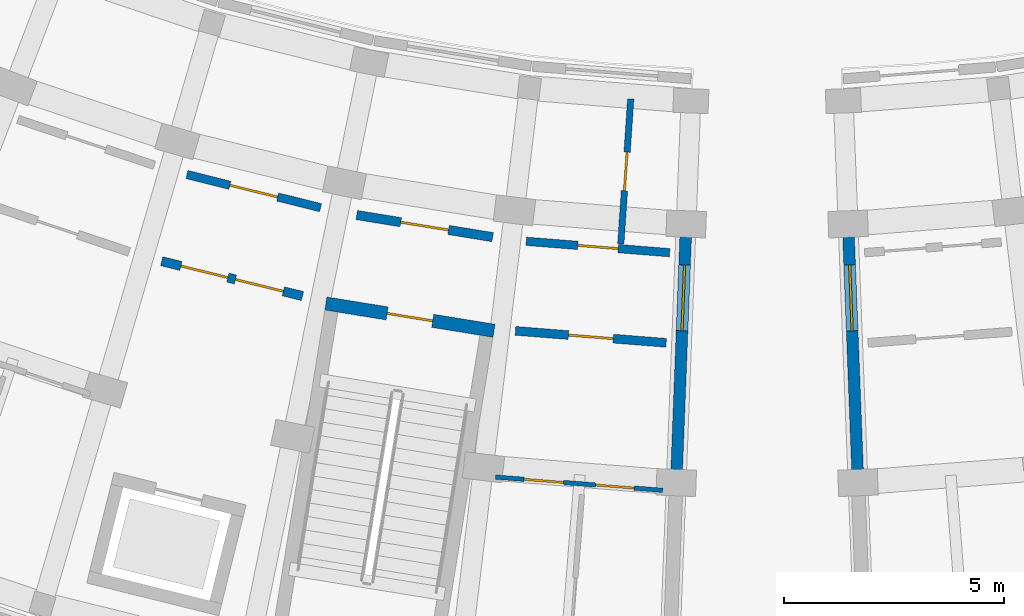
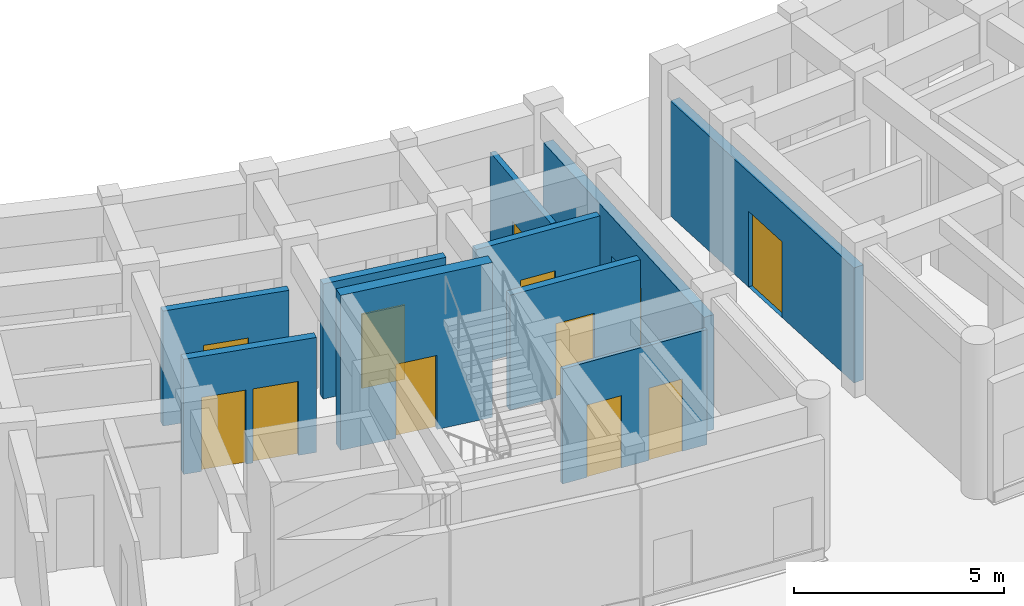
# One storey, part 30 of 61: 12 doors, 10 walls, 12 openings.
"""IFC4 building model written with IfcOpenShell, lengths in metres."""

from ifc_helpers import new_model, si_unit, direction, frame, frame_2d, origin, place, context, subcontext, project, spatial, rectangle, extrude, material, layer, layer_set, type_object, element, fill, save


model = new_model("IFC4")

# Units and contexts
model_context = context("Model", 3, precision=1e-05, world=origin(), true_north=direction((0.0, 1.0)))
body_context = subcontext(model_context, "Body", "Model", "MODEL_VIEW")
ifc_project = project(units=[si_unit("LENGTHUNIT", "METRE"), si_unit("AREAUNIT", "SQUARE_METRE"), si_unit("VOLUMEUNIT", "CUBIC_METRE"), si_unit("PLANEANGLEUNIT", "RADIAN"), si_unit("MASSUNIT", "GRAM", prefix="KILO")], contexts=[model_context])

# Site, building, storey
site_placement = place(None, origin())
site = spatial("IfcSite", under=ifc_project, at=site_placement, CompositionType="ELEMENT")
building_placement = place(site_placement, origin())
building = spatial("IfcBuilding", under=site, at=building_placement, Name="Zimvara Arc Housing Community", CompositionType="ELEMENT")
storey_placement = place(building_placement, origin())
storey = spatial("IfcBuildingStorey", under=building, at=storey_placement, Name="L00", CompositionType="ELEMENT", Elevation=0.0)

# Wall, opening, door
ifc_material_1 = material(Name="Board-Marked Fair-Faced Concrete C35/45", Category="concrete")
ifc_layer_1 = layer(ifc_material_1, 0.264892578125)
ifc_layer_set_1 = layer_set([ifc_layer_1], Name="Board-Marked Fair-Faced Concrete C35/45")
wall_type_1 = type_object("IfcWallType", Name="EWL-CONC-265", PredefinedType="SOLIDWALL", material=ifc_layer_set_1)
wall_1_placement = place(storey_placement, frame((124.23876953125, 64.533447265625, 0.0), z_axis=(0.0, 0.0, 1.0), x_axis=(-0.038407966241, -0.999262141847, 0.0)))
wall_1 = element("IfcWall", 1, at=wall_1_placement, inside=storey, type_object=wall_type_1, Name="ewall:blkC:L00:gN", PredefinedType="SOLIDWALL", context=body_context, shape_type="SweptSolid", body=[
    extrude(rectangle(XDim=8.199951171875, YDim=0.264892578125, at=frame_2d((4.10009765625, 0.0))), origin(), (0.0, 0.0, 1.0), 3.340087890625),
])
opening_1_placement = place(wall_1_placement, frame((3.489990234375, 0.0, 0.0)))
opening_1 = element("IfcOpeningElement", 2, at=opening_1_placement, cuts=wall_1, Name="Opening ED01", PredefinedType="OPENING", context=body_context, shape_type="SweptSolid", body=[
    extrude(rectangle(XDim=1.5, YDim=2.199951171875, at=frame_2d((0.75, 1.10009765625))), frame((0.0, 0.142333984375, 0.0), z_axis=(0.0, -1.0, 0.0), x_axis=(1.0, 0.0, 0.0)), (0.0, 0.0, 1.0), 0.284912109375),
])
ifc_material_2 = material(Name="Anodised Aluminium AW-6063", Category="aluminium")
door_type_1 = type_object("IfcDoorType", Name="EDR-EXIT-1500x2200", OperationType="DOUBLE_DOOR_SINGLE_SWING", PredefinedType="DOOR", material=ifc_material_2)
door_1_placement = place(opening_1_placement, origin())
door_1 = element("IfcDoor", 3, at=door_1_placement, inside=storey, type_object=door_type_1, Name="edoor:blkC:L00:corr_exit:gN", OperationType="DOUBLE_DOOR_SINGLE_SWING", OverallHeight=2.199951171875, OverallWidth=1.5, PredefinedType="DOOR", context=body_context, shape_type="SweptSolid", body=[
    extrude(rectangle(XDim=1.5, YDim=2.199951171875, at=frame_2d((0.75, 1.10009765625))), frame((0.0, 0.02490234375, 0.0), z_axis=(0.0, -1.0, 0.0), x_axis=(1.0, 0.0, 0.0)), (0.0, 0.0, 1.0), 0.050048828125),
])
fill(opening_1, door_1)

wall_2_placement = place(storey_placement, frame((127.72119140625, 64.533447265625, 0.0), z_axis=(0.0, 0.0, 1.0), x_axis=(0.038407966241, -0.999262141847, 0.0)))
wall_2 = element("IfcWall", 4, at=wall_2_placement, inside=storey, type_object=wall_type_1, Name="ewall:blkD:L00:g0", PredefinedType="SOLIDWALL", context=body_context, shape_type="SweptSolid", body=[
    extrude(rectangle(XDim=8.199951171875, YDim=0.264892578125, at=frame_2d((4.10009765625, 0.0))), origin(), (0.0, 0.0, 1.0), 3.340087890625),
])
opening_2_placement = place(wall_2_placement, frame((3.489990234375, 0.0, 0.0)))
opening_2 = element("IfcOpeningElement", 5, at=opening_2_placement, cuts=wall_2, Name="Opening ED01", PredefinedType="OPENING", context=body_context, shape_type="SweptSolid", body=[
    extrude(rectangle(XDim=1.5, YDim=2.199951171875, at=frame_2d((0.75, 1.10009765625))), frame((0.0, 0.142333984375, 0.0), z_axis=(0.0, -1.0, 0.0), x_axis=(1.0, 0.0, 0.0)), (0.0, 0.0, 1.0), 0.284912109375),
])
door_2_placement = place(opening_2_placement, origin())
door_2 = element("IfcDoor", 6, at=door_2_placement, inside=storey, type_object=door_type_1, Name="edoor:blkD:L00:corr_exit:g0", OperationType="DOUBLE_DOOR_SINGLE_SWING", OverallHeight=2.199951171875, OverallWidth=1.5, PredefinedType="DOOR", context=body_context, shape_type="SweptSolid", body=[
    extrude(rectangle(XDim=1.5, YDim=2.199951171875, at=frame_2d((0.75, 1.10009765625))), frame((0.0, 0.02490234375, 0.0), z_axis=(0.0, -1.0, 0.0), x_axis=(1.0, 0.0, 0.0)), (0.0, 0.0, 1.0), 0.050048828125),
])
fill(opening_2, door_2)

# Wall, openings, doors
ifc_material_3 = material(Name="Concrete C35/45", Category="concrete")
ifc_layer_2 = layer(ifc_material_3, 0.2099609375)
ifc_layer_set_2 = layer_set([ifc_layer_2], Name="Concrete C35/45")
wall_type_2 = type_object("IfcWallType", Name="IWL-CCF-210", PredefinedType="SOLIDWALL", material=ifc_layer_set_2)
wall_3_placement = place(storey_placement, frame((112.222900390625, 61.130126953125, 0.0), z_axis=(0.0, 0.0, 1.0), x_axis=(0.970719238682, -0.240216901263, 0.0)))
wall_3 = element("IfcWall", 7, at=wall_3_placement, inside=storey, type_object=wall_type_2, Name="iwall:blkC:L00:ll_div:b7", PredefinedType="SOLIDWALL", context=body_context, shape_type="SweptSolid", body=[
    extrude(rectangle(XDim=3.2958984375, YDim=0.2099609375, at=frame_2d((1.64794921875, 0.0))), origin(), (0.0, 0.0, 1.0), 3.340087890625),
])
opening_3_placement = place(wall_3_placement, frame((0.449951171875, 0.0, 0.0)))
opening_3 = element("IfcOpeningElement", 8, at=opening_3_placement, cuts=wall_3, Name="Opening FD-CCF1", PredefinedType="OPENING", context=body_context, shape_type="SweptSolid", body=[
    extrude(rectangle(XDim=1.10009765625, YDim=2.14990234375, at=frame_2d((0.550048828125, 1.074951171875))), frame((0.0, 0.114990234375, 0.0), z_axis=(0.0, -1.0, 0.0), x_axis=(1.0, 0.0, 0.0)), (0.0, 0.0, 1.0), 0.22998046875),
])
opening_4_placement = place(wall_3_placement, frame((1.72607421875, 0.0, 0.0)))
opening_4 = element("IfcOpeningElement", 9, at=opening_4_placement, cuts=wall_3, Name="Opening D07", PredefinedType="OPENING", context=body_context, shape_type="SweptSolid", body=[
    extrude(rectangle(XDim=1.1201171875, YDim=2.14990234375, at=frame_2d((0.56005859375, 1.074951171875))), frame((0.0, 0.114990234375, 0.0), z_axis=(0.0, -1.0, 0.0), x_axis=(1.0, 0.0, 0.0)), (0.0, 0.0, 1.0), 0.22998046875),
])
ifc_material_4 = material(Name="Mozambican Hardwood", Category="wood")
door_type_2 = type_object("IfcDoorType", Name="IDR-AMN-1120x2150", OperationType="NOTDEFINED", PredefinedType="DOOR", material=ifc_material_4)
door_3_placement = place(opening_4_placement, origin())
door_3 = element("IfcDoor", 10, at=door_3_placement, inside=storey, type_object=door_type_2, Name="idoor:blkC:L00:rs_in:b7", OperationType="SINGLE_SWING_RIGHT", OverallHeight=2.14990234375, OverallWidth=1.1201171875, PredefinedType="DOOR", context=body_context, shape_type="SweptSolid", body=[
    extrude(rectangle(XDim=1.1201171875, YDim=2.14990234375, at=frame_2d((0.56005859375, 1.074951171875))), frame((0.0, 0.02490234375, 0.0), z_axis=(0.0, -1.0, 0.0), x_axis=(1.0, 0.0, 0.0)), (0.0, 0.0, 1.0), 0.050048828125),
])
fill(opening_4, door_3)
ifc_material_5 = material(Name="Anodised Aluminium AW-6063", Category="aluminium")
door_type_3 = type_object("IfcDoorType", Name="IDR-CCF-1100x2150", OperationType="NOTDEFINED", PredefinedType="DOOR", material=ifc_material_5)
door_4_placement = place(opening_3_placement, origin())
door_4 = element("IfcDoor", 11, at=door_4_placement, inside=storey, type_object=door_type_3, Name="idoor:blkC:L00:ll_in:b7", OperationType="SINGLE_SWING_LEFT", OverallHeight=2.14990234375, OverallWidth=1.10009765625, PredefinedType="DOOR", context=body_context, shape_type="SweptSolid", body=[
    extrude(rectangle(XDim=1.10009765625, YDim=2.14990234375, at=frame_2d((0.550048828125, 1.074951171875))), frame((0.0, 0.02490234375, 0.0), z_axis=(0.0, -1.0, 0.0), x_axis=(1.0, 0.0, 0.0)), (0.0, 0.0, 1.0), 0.050048828125),
])
fill(opening_3, door_4)

# Wall, opening, door
wall_4_placement = place(storey_placement, frame((116.655517578125, 62.178466796875, 0.0), z_axis=(0.0, 0.0, 1.0), x_axis=(0.987083140276, -0.16020884552, 0.0)))
wall_4 = element("IfcWall", 12, at=wall_4_placement, inside=storey, type_object=wall_type_2, Name="iwall:blkC:L00:ccf_div:b8", PredefinedType="SOLIDWALL", context=body_context, shape_type="SweptSolid", body=[
    extrude(rectangle(XDim=3.128662109375, YDim=0.2099609375, at=frame_2d((1.564453125, 0.0))), origin(), (0.0, 0.0, 1.0), 3.340087890625),
])
opening_5_placement = place(wall_4_placement, frame((1.014404296875, 0.0, 0.0)))
opening_5 = element("IfcOpeningElement", 13, at=opening_5_placement, cuts=wall_4, Name="Opening FD-CCF1", PredefinedType="OPENING", context=body_context, shape_type="SweptSolid", body=[
    extrude(rectangle(XDim=1.10009765625, YDim=2.14990234375, at=frame_2d((0.550048828125, 1.074951171875))), frame((0.0, 0.114990234375, 0.0), z_axis=(0.0, -1.0, 0.0), x_axis=(1.0, 0.0, 0.0)), (0.0, 0.0, 1.0), 0.22998046875),
])
door_5_placement = place(opening_5_placement, origin())
door_5 = element("IfcDoor", 14, at=door_5_placement, inside=storey, type_object=door_type_3, Name="idoor:blkC:L00:ccf_in:b8", OperationType="SINGLE_SWING_RIGHT", OverallHeight=2.14990234375, OverallWidth=1.10009765625, PredefinedType="DOOR", context=body_context, shape_type="SweptSolid", body=[
    extrude(rectangle(XDim=1.10009765625, YDim=2.14990234375, at=frame_2d((0.550048828125, 1.074951171875))), frame((0.0, 0.02490234375, 0.0), z_axis=(0.0, -1.0, 0.0), x_axis=(1.0, 0.0, 0.0)), (0.0, 0.0, 1.0), 0.050048828125),
])
fill(opening_5, door_5)

ifc_material_6 = material(Name="Concrete C35/45", Category="concrete")
ifc_layer_3 = layer(ifc_material_6, 0.18994140625)
ifc_layer_set_3 = layer_set([ifc_layer_3], Name="Concrete C35/45")
wall_type_3 = type_object("IfcWallType", Name="IWL-CORR-190", PredefinedType="SOLIDWALL", material=ifc_layer_set_3)
wall_5_placement = place(storey_placement, frame((112.796142578125, 63.098388671875, 0.0), z_axis=(0.0, 0.0, 1.0), x_axis=(0.970708998014, -0.240258280136, 0.0)))
wall_5 = element("IfcWall", 15, at=wall_5_placement, inside=storey, type_object=wall_type_3, Name="iwall:blkC:L00:ra_div:b7", PredefinedType="SOLIDWALL", context=body_context, shape_type="SweptSolid", body=[
    extrude(rectangle(XDim=3.128662109375, YDim=0.18994140625, at=frame_2d((1.564453125, 0.0))), origin(), (0.0, 0.0, 1.0), 3.340087890625),
])
opening_6_placement = place(wall_5_placement, frame((1.00439453125, 0.0, 0.0)))
opening_6 = element("IfcOpeningElement", 16, at=opening_6_placement, cuts=wall_5, Name="Opening D07", PredefinedType="OPENING", context=body_context, shape_type="SweptSolid", body=[
    extrude(rectangle(XDim=1.1201171875, YDim=2.14990234375, at=frame_2d((0.56005859375, 1.074951171875))), frame((0.0, 0.10498046875, 0.0), z_axis=(0.0, -1.0, 0.0), x_axis=(1.0, 0.0, 0.0)), (0.0, 0.0, 1.0), 0.2099609375),
])
door_6_placement = place(opening_6_placement, origin())
door_6 = element("IfcDoor", 17, at=door_6_placement, inside=storey, type_object=door_type_2, Name="idoor:blkC:L00:ra_d:b7", OperationType="SINGLE_SWING_LEFT", OverallHeight=2.14990234375, OverallWidth=1.1201171875, PredefinedType="DOOR", context=body_context, shape_type="SweptSolid", body=[
    extrude(rectangle(XDim=1.1201171875, YDim=2.14990234375, at=frame_2d((0.56005859375, 1.074951171875))), frame((0.0, 0.02490234375, 0.0), z_axis=(0.0, -1.0, 0.0), x_axis=(1.0, 0.0, 0.0)), (0.0, 0.0, 1.0), 0.050048828125),
])
fill(opening_6, door_6)

wall_6_placement = place(storey_placement, frame((120.507080078125, 61.582275390625, 0.0), z_axis=(0.0, 0.0, 1.0), x_axis=(0.996860715473, -0.07917521043, 0.0)))
wall_6 = element("IfcWall", 18, at=wall_6_placement, inside=storey, type_object=wall_type_3, Name="iwall:blkC:L00:corr_in:b9", PredefinedType="SOLIDWALL", context=body_context, shape_type="SweptSolid", body=[
    extrude(rectangle(XDim=3.2685546875, YDim=0.18994140625, at=frame_2d((1.63427734375, 0.0))), origin(), (0.0, 0.0, 1.0), 3.340087890625),
])
opening_7_placement = place(wall_6_placement, frame((1.17431640625, 0.0, 0.0)))
opening_7 = element("IfcOpeningElement", 19, at=opening_7_placement, cuts=wall_6, Name="Opening D02", PredefinedType="OPENING", context=body_context, shape_type="SweptSolid", body=[
    extrude(rectangle(XDim=0.919921875, YDim=2.10009765625, at=frame_2d((0.4599609375, 1.050048828125))), frame((0.0, 0.10498046875, 0.0), z_axis=(0.0, -1.0, 0.0), x_axis=(1.0, 0.0, 0.0)), (0.0, 0.0, 1.0), 0.2099609375),
])
ifc_material_7 = material(Name="Mozambican Hardwood", Category="wood")
door_type_4 = type_object("IfcDoorType", Name="IDR-RM-0920x2100", OperationType="NOTDEFINED", PredefinedType="DOOR", material=ifc_material_7)
door_7_placement = place(opening_7_placement, origin())
door_7 = element("IfcDoor", 20, at=door_7_placement, inside=storey, type_object=door_type_4, Name="idoor:blkC:L00:in_rm:b9", OperationType="SINGLE_SWING_RIGHT", OverallHeight=2.10009765625, OverallWidth=0.919921875, PredefinedType="DOOR", context=body_context, shape_type="SweptSolid", body=[
    extrude(rectangle(XDim=0.919921875, YDim=2.10009765625, at=frame_2d((0.4599609375, 1.050048828125))), frame((0.0, 0.02490234375, 0.0), z_axis=(0.0, -1.0, 0.0), x_axis=(1.0, 0.0, 0.0)), (0.0, 0.0, 1.0), 0.050048828125),
])
fill(opening_7, door_7)

ifc_material_8 = material(Name="Concrete C35/45", Category="concrete")
ifc_layer_4 = layer(ifc_material_8, 0.199951171875)
ifc_layer_set_4 = layer_set([ifc_layer_4], Name="Concrete C35/45")
wall_type_4 = type_object("IfcWallType", Name="IWL-CORR-200", PredefinedType="SOLIDWALL", material=ifc_layer_set_4)
wall_7_placement = place(storey_placement, frame((120.261474609375, 59.547119140625, 0.0), z_axis=(0.0, 0.0, 1.0), x_axis=(0.996862545573, -0.079152165058, 0.0)))
wall_7 = element("IfcWall", 21, at=wall_7_placement, inside=storey, type_object=wall_type_4, Name="iwall:blkC:L00:corr_out:b9", PredefinedType="SOLIDWALL", context=body_context, shape_type="SweptSolid", body=[
    extrude(rectangle(XDim=3.43603515625, YDim=0.199951171875, at=frame_2d((1.718017578125, 0.0))), origin(), (0.0, 0.0, 1.0), 3.340087890625),
])
opening_8_placement = place(wall_7_placement, frame((1.2080078125, 0.0, 0.0)))
opening_8 = element("IfcOpeningElement", 22, at=opening_8_placement, cuts=wall_7, Name="Opening FD-FL2", PredefinedType="OPENING", context=body_context, shape_type="SweptSolid", body=[
    extrude(rectangle(XDim=1.02001953125, YDim=2.14990234375, at=frame_2d((0.510009765625, 1.074951171875))), frame((0.0, 0.10986328125, 0.0), z_axis=(0.0, -1.0, 0.0), x_axis=(1.0, 0.0, 0.0)), (0.0, 0.0, 1.0), 0.219970703125),
])
ifc_material_9 = material(Name="Mozambican Hardwood", Category="wood")
door_type_5 = type_object("IfcDoorType", Name="IDR-FLAT-1020x2150", OperationType="NOTDEFINED", PredefinedType="DOOR", material=ifc_material_9)
door_8_placement = place(opening_8_placement, origin())
door_8 = element("IfcDoor", 23, at=door_8_placement, inside=storey, type_object=door_type_5, Name="idoor:blkC:L00:flat:b9", OperationType="SINGLE_SWING_LEFT", OverallHeight=2.14990234375, OverallWidth=1.02001953125, PredefinedType="DOOR", context=body_context, shape_type="SweptSolid", body=[
    extrude(rectangle(XDim=1.02001953125, YDim=2.14990234375, at=frame_2d((0.510009765625, 1.074951171875))), frame((0.0, 0.02490234375, 0.0), z_axis=(0.0, -1.0, 0.0), x_axis=(1.0, 0.0, 0.0)), (0.0, 0.0, 1.0), 0.050048828125),
])
fill(opening_8, door_8)

# Wall, openings, doors
ifc_material_10 = material(Name="Painted Acoustic Plasterboard")
ifc_layer_5 = layer(ifc_material_10, 0.10009765625)
ifc_layer_set_5 = layer_set([ifc_layer_5], Name="Painted Acoustic Plasterboard")
wall_type_5 = type_object("IfcWallType", Name="IWL-PART-100", PredefinedType="PARTITIONING", material=ifc_layer_set_5)
wall_8_placement = place(storey_placement, frame((119.810302734375, 56.22509765625, 0.0), z_axis=(0.0, 0.0, 1.0), x_axis=(0.996862985267, -0.079146627246, 0.0)))
wall_8 = element("IfcWall", 24, at=wall_8_placement, inside=storey, type_object=wall_type_5, Name="iwall:blkC:L00:srv:b9", PredefinedType="PARTITIONING", context=body_context, shape_type="SweptSolid", body=[
    extrude(rectangle(XDim=3.8095703125, YDim=0.10009765625, at=frame_2d((1.90478515625, 0.0))), origin(), (0.0, 0.0, 1.0), 3.340087890625),
])
opening_9_placement = place(wall_8_placement, frame((0.64990234375, 0.0, 0.0)))
opening_9 = element("IfcOpeningElement", 25, at=opening_9_placement, cuts=wall_8, Name="Opening D01", PredefinedType="OPENING", context=body_context, shape_type="SweptSolid", body=[
    extrude(rectangle(XDim=0.89990234375, YDim=2.10009765625, at=frame_2d((0.449951171875, 1.050048828125))), frame((0.0, 0.06005859375, 0.0), z_axis=(0.0, -1.0, 0.0), x_axis=(1.0, 0.0, 0.0)), (0.0, 0.0, 1.0), 0.1201171875),
])
opening_10_placement = place(wall_8_placement, frame((2.279541015625, 0.0, 0.0)))
opening_10 = element("IfcOpeningElement", 26, at=opening_10_placement, cuts=wall_8, Name="Opening D05", PredefinedType="OPENING", context=body_context, shape_type="SweptSolid", body=[
    extrude(rectangle(XDim=0.8798828125, YDim=2.10009765625, at=frame_2d((0.43994140625, 1.050048828125))), frame((0.0, 0.06005859375, 0.0), z_axis=(0.0, -1.0, 0.0), x_axis=(1.0, 0.0, 0.0)), (0.0, 0.0, 1.0), 0.1201171875),
])
ifc_material_11 = material(Name="Mozambican Hardwood", Category="wood")
door_type_6 = type_object("IfcDoorType", Name="IDR-RM-0900x2100", OperationType="NOTDEFINED", PredefinedType="DOOR", material=ifc_material_11)
door_9_placement = place(opening_9_placement, origin())
door_9 = element("IfcDoor", 27, at=door_9_placement, inside=storey, type_object=door_type_6, Name="idoor:blkC:L00:kit_liv:b9", OperationType="SINGLE_SWING_RIGHT", OverallHeight=2.10009765625, OverallWidth=0.89990234375, PredefinedType="DOOR", context=body_context, shape_type="SweptSolid", body=[
    extrude(rectangle(XDim=0.89990234375, YDim=2.10009765625, at=frame_2d((0.449951171875, 1.050048828125))), frame((0.0, 0.02490234375, 0.0), z_axis=(0.0, -1.0, 0.0), x_axis=(1.0, 0.0, 0.0)), (0.0, 0.0, 1.0), 0.050048828125),
])
fill(opening_9, door_9)
ifc_material_12 = material(Name="Mozambican Hardwood", Category="wood")
door_type_7 = type_object("IfcDoorType", Name="IDR-WC-0880x2100", OperationType="NOTDEFINED", PredefinedType="DOOR", material=ifc_material_12)
door_10_placement = place(opening_10_placement, origin())
door_10 = element("IfcDoor", 28, at=door_10_placement, inside=storey, type_object=door_type_7, Name="idoor:blkC:L00:bath_d:b9", OperationType="SINGLE_SWING_LEFT", OverallHeight=2.10009765625, OverallWidth=0.8798828125, PredefinedType="DOOR", context=body_context, shape_type="SweptSolid", body=[
    extrude(rectangle(XDim=0.8798828125, YDim=2.10009765625, at=frame_2d((0.43994140625, 1.050048828125))), frame((0.0, 0.02490234375, 0.0), z_axis=(0.0, -1.0, 0.0), x_axis=(1.0, 0.0, 0.0)), (0.0, 0.0, 1.0), 0.050048828125),
])
fill(opening_10, door_10)

# Wall, opening, door
ifc_material_13 = material(Name="Painted Acoustic Plasterboard")
ifc_layer_6 = layer(ifc_material_13, 0.14501953125)
ifc_layer_set_6 = layer_set([ifc_layer_6], Name="Painted Acoustic Plasterboard")
wall_type_6 = type_object("IfcWallType", Name="IWL-WET-145", PredefinedType="PARTITIONING", material=ifc_layer_set_6)
wall_9_placement = place(storey_placement, frame((122.88134765625, 64.81640625, 0.0), z_axis=(0.0, 0.0, 1.0), x_axis=(-0.068581194944, -0.997645538105, 0.0)))
wall_9 = element("IfcWall", 29, at=wall_9_placement, inside=storey, type_object=wall_type_6, Name="iwall:blkC:L00:ens:b9", PredefinedType="PARTITIONING", context=body_context, shape_type="SweptSolid", body=[
    extrude(rectangle(XDim=3.300048828125, YDim=0.14501953125, at=frame_2d((1.64990234375, 0.0))), origin(), (0.0, 0.0, 1.0), 3.340087890625),
])
opening_11_placement = place(wall_9_placement, frame((1.2099609375, 0.0, 0.0)))
opening_11 = element("IfcOpeningElement", 30, at=opening_11_placement, cuts=wall_9, Name="Opening D05", PredefinedType="OPENING", context=body_context, shape_type="SweptSolid", body=[
    extrude(rectangle(XDim=0.8798828125, YDim=2.10009765625, at=frame_2d((0.43994140625, 1.050048828125))), frame((0.0, 0.08251953125, 0.0), z_axis=(0.0, -1.0, 0.0), x_axis=(1.0, 0.0, 0.0)), (0.0, 0.0, 1.0), 0.1650390625),
])
door_11_placement = place(opening_11_placement, origin())
door_11 = element("IfcDoor", 31, at=door_11_placement, inside=storey, type_object=door_type_7, Name="idoor:blkC:L00:ens_d:b9", OperationType="SINGLE_SWING_LEFT", OverallHeight=2.10009765625, OverallWidth=0.8798828125, PredefinedType="DOOR", context=body_context, shape_type="SweptSolid", body=[
    extrude(rectangle(XDim=0.8798828125, YDim=2.10009765625, at=frame_2d((0.43994140625, 1.050048828125))), frame((0.0, 0.02490234375, 0.0), z_axis=(0.0, -1.0, 0.0), x_axis=(1.0, 0.0, 0.0)), (0.0, 0.0, 1.0), 0.050048828125),
])
fill(opening_11, door_11)

ifc_material_14 = material(Name="Concrete C40/50", Category="concrete")
ifc_layer_7 = layer(ifc_material_14, 0.300048828125)
ifc_layer_set_7 = layer_set([ifc_layer_7], Name="Concrete C40/50")
wall_type_7 = type_object("IfcWallType", Name="WL-CORE-300", PredefinedType="SHEAR", material=ifc_layer_set_7)
wall_10_placement = place(storey_placement, frame((115.953857421875, 60.16943359375, 0.0), z_axis=(0.0, 0.0, 1.0), x_axis=(0.987077443397, -0.160243941341, 0.0)))
wall_10 = element("IfcWall", 32, at=wall_10_placement, inside=storey, type_object=wall_type_7, Name="cwall:ST-C2:L00:near", PredefinedType="SHEAR", context=body_context, shape_type="SweptSolid", body=[
    extrude(rectangle(XDim=3.869873046875, YDim=0.300048828125, at=frame_2d((1.93505859375, 0.0))), origin(), (0.0, 0.0, 1.0), 4.5),
])
opening_12_placement = place(wall_10_placement, frame((1.409912109375, 0.0, 0.0)))
opening_12 = element("IfcOpeningElement", 33, at=opening_12_placement, cuts=wall_10, Name="Opening FD-ST2", PredefinedType="OPENING", context=body_context, shape_type="SweptSolid", body=[
    extrude(rectangle(XDim=1.050048828125, YDim=2.14990234375, at=frame_2d((0.52490234375, 1.074951171875))), frame((0.0, 0.159912109375, 0.0), z_axis=(0.0, -1.0, 0.0), x_axis=(1.0, 0.0, 0.0)), (0.0, 0.0, 1.0), 0.320068359375),
])
ifc_material_15 = material(Name="Anodised Aluminium AW-6063", Category="aluminium")
door_type_8 = type_object("IfcDoorType", Name="IDR-ST-1050x2150", OperationType="NOTDEFINED", PredefinedType="DOOR", material=ifc_material_15)
door_12_placement = place(opening_12_placement, origin())
door_12 = element("IfcDoor", 34, at=door_12_placement, inside=storey, type_object=door_type_8, Name="idoor:ST-C2:L00:entry", OperationType="SINGLE_SWING_RIGHT", OverallHeight=2.14990234375, OverallWidth=1.050048828125, PredefinedType="DOOR", context=body_context, shape_type="SweptSolid", body=[
    extrude(rectangle(XDim=1.050048828125, YDim=2.14990234375, at=frame_2d((0.52490234375, 1.074951171875))), frame((0.0, 0.02490234375, 0.0), z_axis=(0.0, -1.0, 0.0), x_axis=(1.0, 0.0, 0.0)), (0.0, 0.0, 1.0), 0.050048828125),
])
fill(opening_12, door_12)

save(model, "model.ifc")
